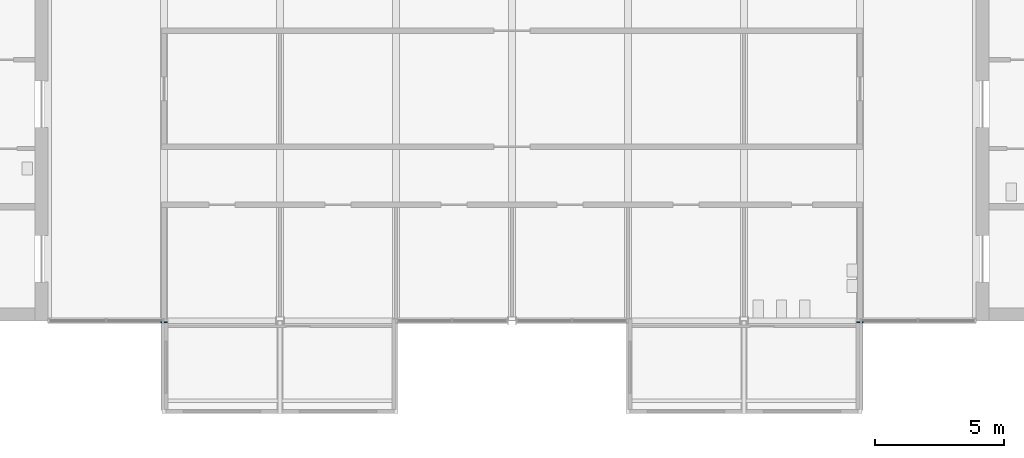
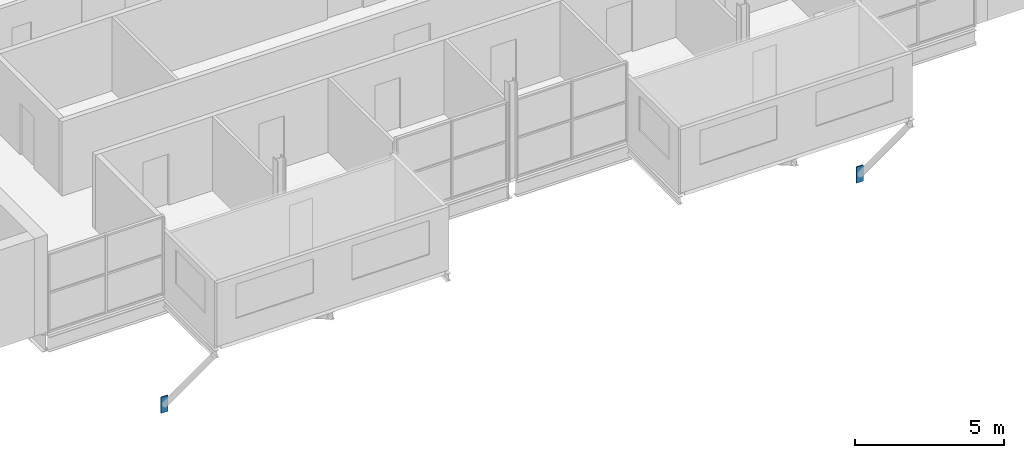
# One storey, part 5 of 12: 2 plates.
"""IFC4 building model written with IfcOpenShell, lengths in metres."""

from ifc_helpers import new_model, si_unit, direction, frame, origin, origin_2d, place, context, subcontext, project, spatial, rectangle, extrude, material, layer, layer_set, type_object, element, save


model = new_model("IFC4")

# Units and contexts
model_context = context("Model", 3, precision=1e-05, world=origin(), true_north=direction((0.0, 1.0)))
body_context = subcontext(model_context, "Body", "Model", "MODEL_VIEW")
ifc_project = project(units=[si_unit("LENGTHUNIT", "METRE"), si_unit("AREAUNIT", "SQUARE_METRE"), si_unit("VOLUMEUNIT", "CUBIC_METRE"), si_unit("PLANEANGLEUNIT", "RADIAN"), si_unit("MASSUNIT", "GRAM", prefix="KILO")], contexts=[model_context])

# Site, building, storey
site_placement = place(None, origin())
site = spatial("IfcSite", under=ifc_project, at=site_placement, CompositionType="ELEMENT")
building_placement = place(site_placement, origin())
building = spatial("IfcBuilding", under=site, at=building_placement, Name="Corbel Yard City Hall", CompositionType="ELEMENT")
storey_placement = place(building_placement, frame((0.0, 0.0, 55.199951171875)))
storey = spatial("IfcBuildingStorey", under=building, at=storey_placement, Name="L13", CompositionType="ELEMENT", Elevation=55.199951171875)

# Plates
ifc_material = material(Name="Steel Grade 300 (300 MPa yield)", Category="steel")
ifc_layer = layer(ifc_material, 0.0400390625)
ifc_layer_set = layer_set([ifc_layer], Name="Steel Grade 300 (300 MPa yield)")
plate_type = type_object("IfcPlateType", Name="Knee brace girder stiffener plate", PredefinedType="NOTDEFINED", material=ifc_layer_set)
for number, where, z_axis, x_axis, name in (
    (1, (13.5, 98.9423828125, -4.830078125), (0.0, 0.0, 1.0), (1.0, 0.0, 0.0), "Knee brace girder stiffener plate EP3"),
    (2, (40.5, 98.9423828125, -4.830078125), (0.0, 0.0, 1.0), (1.0, 0.0, 0.0), "Knee brace girder stiffener plate EP3"),
):
    element("IfcPlate", number, at=place(storey_placement, frame(where, z_axis=z_axis, x_axis=x_axis)), inside=storey, type_object=plate_type, Name=name, PredefinedType="NOTDEFINED", context=body_context, shape_type="SweptSolid", body=[
        extrude(rectangle(XDim=0.260009765625, YDim=0.0400390625, at=origin_2d()), origin(), (0.0, 0.0, 1.0), 0.659912109375),
    ])

save(model, "model.ifc")
